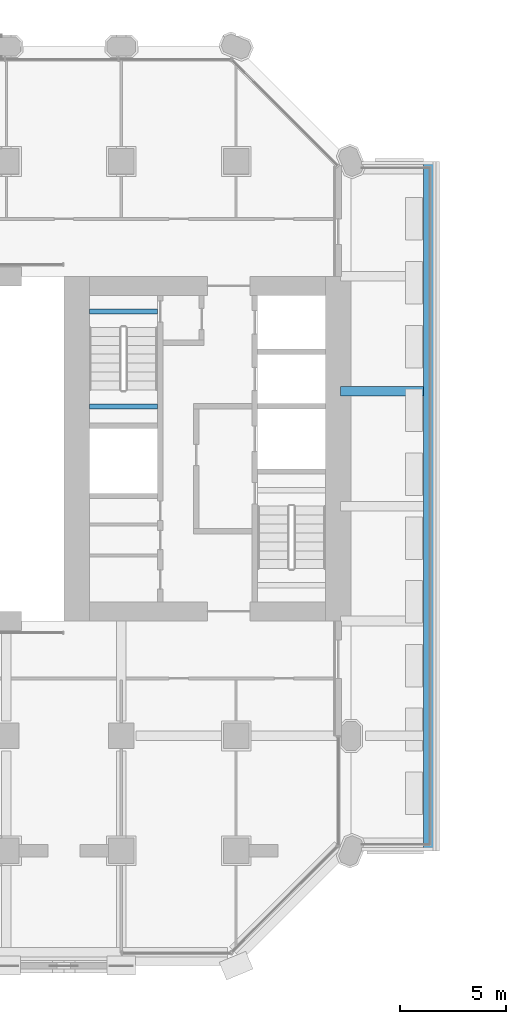
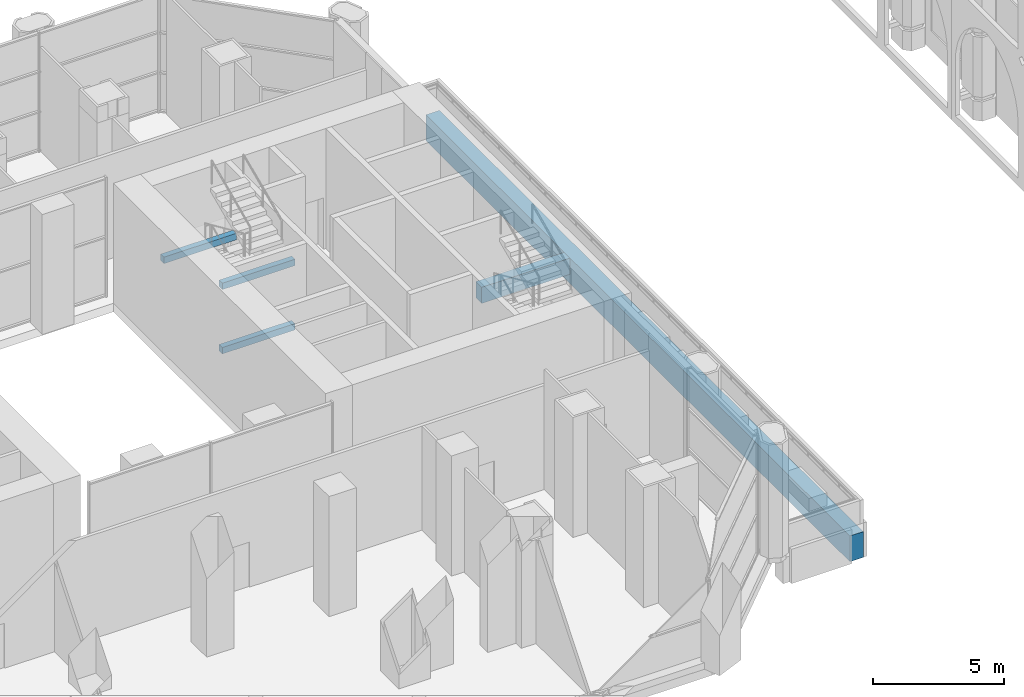
# One storey, part 7 of 34: 5 beams.
"""IFC4 building model written with IfcOpenShell, lengths in metres."""

import ifcopenshell
import ifcopenshell.guid

model = None  # the IFC model being written
_history = None  # IfcOwnerHistory: only IFC2X3 demands one
_inside = {}  # id of a spatial element -> (the spatial element, [elements in it])
_under = {}  # id of a project, library or spatial element -> (it, [spatial elements below it])
_declared = {}  # id of a project -> (the project, [libraries it declares])
_typed = {}  # id of a type object -> (the type object, [elements of that type])
_made_of = {}  # id of a material, layer set ... -> (it, [elements and type objects made of it])


def new_model(schema):
    """Start an empty IFC model of exactly this schema.

    Asked for "IFC4X3", IfcOpenShell would pick the latest addendum, in which some entities
    have other attributes; the version numbers below select the first issue.
    IFC2X3 requires an IfcOwnerHistory on every rooted entity: one is made here for all.
    """
    global model, _history
    if schema == "IFC4X3":
        model = ifcopenshell.file(schema_version=(4, 3, 0, 0))
    else:
        model = ifcopenshell.file(schema=schema)
    _inside.clear()
    _under.clear()
    _declared.clear()
    _typed.clear()
    _made_of.clear()
    _history = None
    if model.schema == "IFC2X3":
        org = make("IfcOrganization", Name="unknown")
        user = make(
            "IfcPersonAndOrganization",
            ThePerson=make("IfcPerson", FamilyName="unknown"),
            TheOrganization=org,
        )
        app = make(
            "IfcApplication",
            ApplicationDeveloper=org,
            Version="unknown",
            ApplicationFullName="unknown",
            ApplicationIdentifier="unknown",
        )
        _history = make(
            "IfcOwnerHistory",
            OwningUser=user,
            OwningApplication=app,
            ChangeAction="ADDED",
            CreationDate=0,
        )
    return model


def make(cls, **values):
    """One entity of the class cls with the attributes given. An attribute that is None is left unset."""
    return model.create_entity(
        cls, **{name: value for name, value in values.items() if value is not None}
    )


def rooted(cls, **values):
    """An entity with a GlobalId (a new one), such as an element, a storey or a relation."""
    return make(cls, GlobalId=ifcopenshell.guid.new(), OwnerHistory=_history, **values)


def si_unit(unit_type, name, prefix=None):
    """IfcSIUnit, for example si_unit("LENGTHUNIT", "METRE", prefix="MILLI")."""
    return make("IfcSIUnit", UnitType=unit_type, Prefix=prefix, Name=name)


def assignment(units):
    """IfcUnitAssignment: the units of a project."""
    return None if units is None else make("IfcUnitAssignment", Units=units)


def point(xyz):
    """IfcCartesianPoint."""
    return None if xyz is None else make("IfcCartesianPoint", Coordinates=xyz)


def direction(xyz):
    """IfcDirection."""
    return None if xyz is None else make("IfcDirection", DirectionRatios=xyz)


def frame(location, z_axis=None, x_axis=None):
    """IfcAxis2Placement3D, a coordinate frame: its origin and axes. An axis left out is left unset."""
    return make(
        "IfcAxis2Placement3D",
        Location=point(location),
        Axis=direction(z_axis),
        RefDirection=direction(x_axis),
    )


def frame_2d(location, x_axis=None):
    """IfcAxis2Placement2D, a coordinate frame in the plane: its origin and x axis."""
    return make(
        "IfcAxis2Placement2D", Location=point(location), RefDirection=direction(x_axis)
    )


def origin():
    """The frame at (0, 0, 0) with its axes left unset."""
    return frame((0.0, 0.0, 0.0))


def origin_2d():
    """The frame at (0, 0) in the plane with its x axis left unset."""
    return frame_2d((0.0, 0.0))


def place(relative_to, where):
    """IfcLocalPlacement: puts the frame where relative to a parent placement (None: the world)."""
    return make(
        "IfcLocalPlacement", PlacementRelTo=relative_to, RelativePlacement=where
    )


def context(
    kind, dimensions, precision=None, world=None, true_north=None, identifier=None
):
    """IfcGeometricRepresentationContext, for example the 3D "Model" context."""
    return make(
        "IfcGeometricRepresentationContext",
        ContextIdentifier=identifier,
        ContextType=kind,
        CoordinateSpaceDimension=dimensions,
        Precision=precision,
        WorldCoordinateSystem=world,
        TrueNorth=true_north,
    )


def subcontext(parent, identifier, kind, view, scale=None):
    """IfcGeometricRepresentationSubContext, for example "Body" below "Model"."""
    return make(
        "IfcGeometricRepresentationSubContext",
        ContextIdentifier=identifier,
        ContextType=kind,
        ParentContext=parent,
        TargetScale=scale,
        TargetView=view,
    )


def project(units=None, contexts=None):
    """IfcProject with its units and contexts."""
    return rooted(
        "IfcProject",
        Name="project",
        RepresentationContexts=contexts,
        UnitsInContext=assignment(units),
    )


def spatial(cls, under=None, at=None, **own):
    """A site, building, storey or space (cls), placed at a placement, below another one or the project."""
    s = rooted(cls, ObjectPlacement=at, **own)
    if under is not None:
        _under.setdefault(under.id(), (under, []))[1].append(s)
    return s


def profile(cls, at=None, kind="AREA", **sizes):
    """A parametric profile (cls). Its sizes go by their IFC names, for example OverallWidth=200.0."""
    return make(cls, ProfileType=kind, Position=at, **sizes)


def rectangle(**sizes):
    """IfcRectangleProfileDef."""
    return profile("IfcRectangleProfileDef", **sizes)


def extrude(swept, where, along, depth):
    """IfcExtrudedAreaSolid: the profile swept, set in the frame where, extruded along a direction by depth."""
    return make(
        "IfcExtrudedAreaSolid",
        SweptArea=swept,
        Position=where,
        ExtrudedDirection=direction(along),
        Depth=depth,
    )


def shape(context_of_items, identifier, shape_type, items):
    """IfcShapeRepresentation: the items that make up one representation, for example the "Body"."""
    return make(
        "IfcShapeRepresentation",
        ContextOfItems=context_of_items,
        RepresentationIdentifier=identifier,
        RepresentationType=shape_type,
        Items=items,
    )


def material(Name=None, Category=None):
    """IfcMaterial."""
    return make("IfcMaterial", Name=Name, Category=Category)


def material_profile(
    of_material, cross_section, Name=None, Category=None, Priority=None
):
    """IfcMaterialProfile: a cross section and its material."""
    return make(
        "IfcMaterialProfile",
        Name=Name,
        Material=of_material,
        Profile=cross_section,
        Priority=Priority,
        Category=Category,
    )


def profile_set(profiles, Name=None, composite=None):
    """IfcMaterialProfileSet."""
    return make(
        "IfcMaterialProfileSet",
        Name=Name,
        MaterialProfiles=profiles,
        CompositeProfile=composite,
    )


def made_of(thing, what):
    """Note that an element or type object is made of a material, layer set ...; save() writes the relation."""
    if what is not None:
        _made_of.setdefault(what.id(), (what, []))[1].append(thing)
    return thing


def type_object(cls, material=None, **own):
    """A type object (cls), such as IfcWallType, which elements share."""
    return made_of(rooted(cls, **own), material)


def element(
    cls,
    number,
    at=None,
    inside=None,
    cuts=None,
    type_object=None,
    material=None,
    context=None,
    identifier="Body",
    shape_type=None,
    held_by="IfcProductDefinitionShape",
    body=None,
    shapes=None,
    **own,
):
    """One element of the class cls, such as IfcWall. Its Tag is "e" and its number.

    at: its placement. inside: the storey or other place that contains it. cuts: it is an
    opening in that element (IfcRelVoidsElement). A single representation is given by context,
    identifier, shape_type and body (its items); several are given by shapes. held_by: the class
    of the entity that holds the representations. save() writes the other relations.
    """
    e = rooted(cls, Tag="e%d" % number, ObjectPlacement=at, **own)
    if body is not None:
        shapes = [shape(context, identifier, shape_type, body)]
    if shapes is not None:
        e.Representation = make(held_by, Representations=shapes)
    if inside is not None:
        _inside.setdefault(inside.id(), (inside, []))[1].append(e)
    if cuts is not None:
        rooted(
            "IfcRelVoidsElement", RelatingBuildingElement=cuts, RelatedOpeningElement=e
        )
    if type_object is not None:
        _typed.setdefault(type_object.id(), (type_object, []))[1].append(e)
    return made_of(e, material)


def aggregate(whole, parts):
    """IfcRelAggregates: a whole, such as a stair, and the parts it consists of."""
    return rooted("IfcRelAggregates", RelatingObject=whole, RelatedObjects=parts)


def save(model, path):
    """Write the relations noted so far, then the file.

    IfcRelAggregates (storeys below a building ...), IfcRelContainedInSpatialStructure (elements
    in a storey), IfcRelDefinesByType, IfcRelAssociatesMaterial and IfcRelDeclares: one each for
    every whole, place, type object, material and project.
    """
    for whole, parts in _under.values():
        aggregate(whole, parts)
    for where, things in _inside.values():
        rooted(
            "IfcRelContainedInSpatialStructure",
            RelatedElements=things,
            RelatingStructure=where,
        )
    for kind, things in _typed.values():
        rooted("IfcRelDefinesByType", RelatedObjects=things, RelatingType=kind)
    for what, things in _made_of.values():
        rooted("IfcRelAssociatesMaterial", RelatedObjects=things, RelatingMaterial=what)
    for by, libraries in _declared.values():
        rooted("IfcRelDeclares", RelatingContext=by, RelatedDefinitions=libraries)
    model.write(path)


model = new_model("IFC4")

# Units and contexts
model_context = context("Model", 3, precision=1e-05, world=origin(), true_north=direction((0.0, 1.0)))
body_context = subcontext(model_context, "Body", "Model", "MODEL_VIEW")
ifc_project = project(units=[si_unit("LENGTHUNIT", "METRE"), si_unit("AREAUNIT", "SQUARE_METRE"), si_unit("VOLUMEUNIT", "CUBIC_METRE"), si_unit("PLANEANGLEUNIT", "RADIAN"), si_unit("MASSUNIT", "GRAM", prefix="KILO")], contexts=[model_context])

# Site, building, storey
site_placement = place(None, origin())
site = spatial("IfcSite", under=ifc_project, at=site_placement, CompositionType="ELEMENT")
building_placement = place(site_placement, origin())
building = spatial("IfcBuilding", under=site, at=building_placement, Name="Tabaq Tower and Sports Hall", CompositionType="ELEMENT")
storey_placement = place(building_placement, frame((0.0, 0.0, 8.39990234375)))
storey = spatial("IfcBuildingStorey", under=building, at=storey_placement, Name="L01", CompositionType="ELEMENT", Elevation=8.39990234375)

# Beams
ifc_material_1 = material(Name="Concrete C40/50", Category="concrete")
ifc_material_profile_1 = material_profile(ifc_material_1, rectangle(XDim=0.60009765625, YDim=1.199951171875, at=origin_2d()), Name="EBT 600x1200")
ifc_profile_set_1 = profile_set([ifc_material_profile_1], Name="Concrete C40/50")
beam_type_1 = type_object("IfcBeamType", Name="Concrete C40/50 PT edge band EBT 600x1200", PredefinedType="BEAM", material=ifc_profile_set_1)
beam_1_placement = place(storey_placement, frame((46.89990234375, 5.39990234375, -1.0), z_axis=(0.0, 1.0, 0.0), x_axis=(-1.0, 0.0, 0.0)))
element("IfcBeam", 1, at=beam_1_placement, inside=storey, type_object=beam_type_1, Name="Tray edge band L01", PredefinedType="BEAM", context=body_context, shape_type="SweptSolid", body=[
    extrude(rectangle(XDim=0.60009765625, YDim=1.199951171875, at=origin_2d()), origin(), (0.0, 0.0, 1.0), 32.400146484375),
])
ifc_material_2 = material(Name="Concrete C40/50", Category="concrete")
ifc_material_profile_2 = material_profile(ifc_material_2, rectangle(XDim=0.449951171875, YDim=0.75, at=origin_2d()), Name="CB 450x750")
ifc_profile_set_2 = profile_set([ifc_material_profile_2], Name="Concrete C40/50")
beam_type_2 = type_object("IfcBeamType", Name="PT CANTILEVER BEAM CB 450x750 C40/50", PredefinedType="BEAM", material=ifc_profile_set_2)
beam_2_placement = place(storey_placement, frame((46.60009765625, 27.0, -0.77490234375), z_axis=(-1.0, 0.0, 0.0), x_axis=(0.0, -1.0, 0.0)))
element("IfcBeam", 2, at=beam_2_placement, inside=storey, type_object=beam_type_2, Name="Tray Cantilever Beam L01 T4 span 1", PredefinedType="BEAM", context=body_context, shape_type="SweptSolid", body=[
    extrude(rectangle(XDim=0.449951171875, YDim=0.75, at=origin_2d()), origin(), (0.0, 0.0, 1.0), 3.900146484375),
])
ifc_material_3 = material(Name="Concrete C40/50", Category="concrete")
ifc_material_profile_3 = material_profile(ifc_material_3, rectangle(XDim=0.25, YDim=0.300048828125, at=origin_2d()), Name="RC 250x300")
ifc_profile_set_3 = profile_set([ifc_material_profile_3], Name="Concrete C40/50")
beam_type_3 = type_object("IfcBeamType", Name="Stair landing beam 250x300", PredefinedType="BEAM", material=ifc_profile_set_3)
for number, where, z_axis, x_axis, name in (
    (3, (30.89990234375, 26.280029296875, 1.150146484375), (1.0, 0.0, 0.0), (0.0, 1.0, 0.0), "L01 ST4 landing beam 1"),
    (4, (30.89990234375, 30.75, 2.650146484375), (1.0, 0.0, 0.0), (0.0, 1.0, 0.0), "L01 ST4 landing beam 2"),
    (5, (30.89990234375, 26.280029296875, 4.150146484375), (1.0, 0.0, 0.0), (0.0, 1.0, 0.0), "L01 ST4 landing beam 3"),
):
    element("IfcBeam", number, at=place(storey_placement, frame(where, z_axis=z_axis, x_axis=x_axis)), inside=storey, type_object=beam_type_3, Name=name, PredefinedType="BEAM", context=body_context, shape_type="SweptSolid", body=[
        extrude(rectangle(XDim=0.25, YDim=0.300048828125, at=origin_2d()), origin(), (0.0, 0.0, 1.0), 3.2001953125),
    ])

save(model, "model.ifc")
